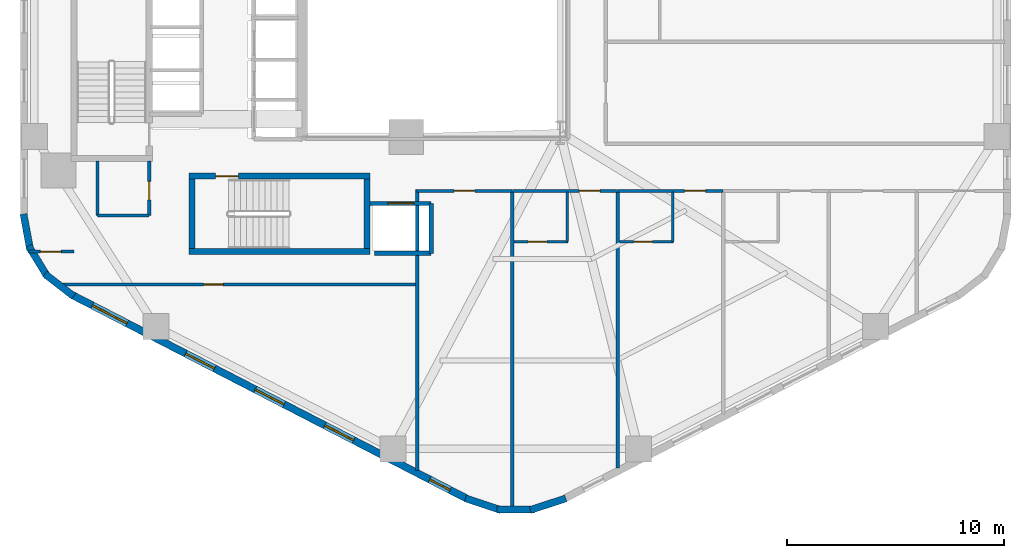
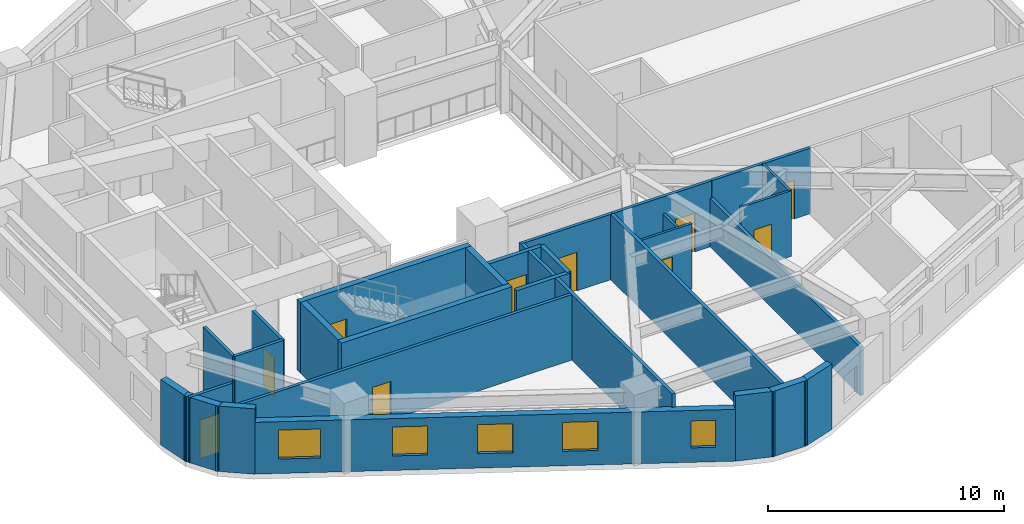
# One storey, part 2 of 7: 29 walls, 10 doors, 5 windows, 15 openings.
"""IFC4 building model written with IfcOpenShell, lengths in metres."""

from ifc_helpers import new_model, si_unit, direction, frame, frame_2d, origin, place, context, subcontext, project, spatial, rectangle, extrude, material, layer, layer_set, type_object, element, fill, save


model = new_model("IFC4")

# Units and contexts
model_context = context("Model", 3, precision=1e-05, world=origin(), true_north=direction((0.0, 1.0)))
body_context = subcontext(model_context, "Body", "Model", "MODEL_VIEW")
ifc_project = project(units=[si_unit("LENGTHUNIT", "METRE"), si_unit("AREAUNIT", "SQUARE_METRE"), si_unit("VOLUMEUNIT", "CUBIC_METRE"), si_unit("PLANEANGLEUNIT", "RADIAN"), si_unit("MASSUNIT", "GRAM", prefix="KILO"), si_unit("THERMODYNAMICTEMPERATUREUNIT", "KELVIN"), si_unit("POWERUNIT", "WATT")], contexts=[model_context])

# Site, building, storey
site_placement = place(None, origin())
site = spatial("IfcSite", under=ifc_project, at=site_placement, CompositionType="ELEMENT")
building_placement = place(site_placement, origin())
building = spatial("IfcBuilding", under=site, at=building_placement, Name="Skarre Station Tower", CompositionType="ELEMENT")
storey_placement = place(building_placement, frame((0.0, 0.0, 74.449951171875)))
storey = spatial("IfcBuildingStorey", under=building, at=storey_placement, Name="L19", CompositionType="ELEMENT", Elevation=74.449951171875)

# Walls
ifc_material_1 = material(Name="Acoustic Steel-Stud Gypsum Partition", Category="steel")
ifc_layer_1 = layer(ifc_material_1, 0.14990234375, Name="Acoustic Steel-Stud Gypsum Partition")
ifc_layer_set_1 = layer_set([ifc_layer_1], Name="Acoustic Steel-Stud Gypsum Partition")
wall_type_1 = type_object("IfcWallType", Name="Fire-Rated Corridor Acoustic Partition 150", PredefinedType="PARTITIONING", material=ifc_layer_set_1)
wall_1_placement = place(storey_placement, frame((18.10009765625, 17.340087890625, 0.0), z_axis=(0.0, 0.0, 1.0), x_axis=(0.0, -1.0, 0.0)))
element("IfcWall", 1, at=wall_1_placement, inside=storey, type_object=wall_type_1, Name="L19 Interior Partition WL-PT-L19-CSVC-W", PredefinedType="PARTITIONING", context=body_context, shape_type="SweptSolid", body=[
    extrude(rectangle(XDim=2.52001953125, YDim=0.14990234375, at=frame_2d((1.260009765625, 0.0))), origin(), (0.0, 0.0, 1.0), 3.39013671875),
])
wall_2_placement = place(storey_placement, frame((18.10009765625, 14.820068359375, 0.0), z_axis=(0.0, 0.0, 1.0), x_axis=(1.0, 0.0, 0.0)))
element("IfcWall", 2, at=wall_2_placement, inside=storey, type_object=wall_type_1, Name="L19 Interior Partition WL-PT-L19-CSVC-S", PredefinedType="PARTITIONING", context=body_context, shape_type="SweptSolid", body=[
    extrude(rectangle(XDim=2.389892578125, YDim=0.14990234375, at=frame_2d((1.19482421875, 0.0))), origin(), (0.0, 0.0, 1.0), 3.39013671875),
])

# Wall, opening, door
wall_3_placement = place(storey_placement, frame((20.489990234375, 14.820068359375, 0.0), z_axis=(0.0, 0.0, 1.0), x_axis=(0.0, 1.0, 0.0)))
wall_3 = element("IfcWall", 3, at=wall_3_placement, inside=storey, type_object=wall_type_1, Name="L19 Interior Partition WL-PT-L19-CSVC-E", PredefinedType="PARTITIONING", context=body_context, shape_type="SweptSolid", body=[
    extrude(rectangle(XDim=2.52001953125, YDim=0.14990234375, at=frame_2d((1.260009765625, 0.0))), origin(), (0.0, 0.0, 1.0), 3.39013671875),
])
opening_1_placement = place(wall_3_placement, frame((0.719970703125, 0.0, 0.0)))
opening_1 = element("IfcOpeningElement", 4, at=opening_1_placement, cuts=wall_3, Name="Opening DR-SVC86", PredefinedType="OPENING", context=body_context, shape_type="SweptSolid", body=[
    extrude(rectangle(XDim=0.860107421875, YDim=2.0, at=frame_2d((0.43017578125, 1.0))), frame((0.0, 0.0849609375, 0.0), z_axis=(0.0, -1.0, 0.0), x_axis=(1.0, 0.0, 0.0)), (0.0, 0.0, 1.0), 0.169921875),
])
ifc_material_2 = material(Name="Powder-Coated Hollow-Metal Acoustic Fire Leaf", Category="steel")
door_type_1 = type_object("IfcDoorType", Name="Compact Riser Fire Door FD60 860x2100", OperationType="SINGLE_SWING_LEFT", PredefinedType="DOOR", material=ifc_material_2)
door_1_placement = place(opening_1_placement, origin())
door_1 = element("IfcDoor", 5, at=door_1_placement, inside=storey, type_object=door_type_1, Name="L19 Core Staff Toilet Door", OperationType="SINGLE_SWING_LEFT", OverallHeight=2.0, OverallWidth=0.860107421875, PredefinedType="DOOR", context=body_context, shape_type="SweptSolid", body=[
    extrude(rectangle(XDim=0.860107421875, YDim=2.0, at=frame_2d((0.43017578125, 1.0))), frame((0.0, 0.02490234375, 0.0), z_axis=(0.0, -1.0, 0.0), x_axis=(1.0, 0.0, 0.0)), (0.0, 0.0, 1.0), 0.050048828125),
])
fill(opening_1, door_1)

wall_4_placement = place(storey_placement, frame((16.487060546875, 11.639892578125, 0.0), z_axis=(0.0, 0.0, 1.0), x_axis=(1.0, 0.0, 0.0)))
wall_4 = element("IfcWall", 6, at=wall_4_placement, inside=storey, type_object=wall_type_1, Name="L19 Interior Partition WL-PT-L19-SWP-N", PredefinedType="PARTITIONING", context=body_context, shape_type="SweptSolid", body=[
    extrude(rectangle(XDim=16.363037109375, YDim=0.14990234375, at=frame_2d((8.181640625, 0.0))), origin(), (0.0, 0.0, 1.0), 3.39013671875),
])
opening_2_placement = place(wall_4_placement, frame((6.512939453125, 0.0, 0.0)))
opening_2 = element("IfcOpeningElement", 7, at=opening_2_placement, cuts=wall_4, Name="Opening DR-SVC90", PredefinedType="OPENING", context=body_context, shape_type="SweptSolid", body=[
    extrude(rectangle(XDim=0.89990234375, YDim=2.0, at=frame_2d((0.449951171875, 1.0))), frame((0.0, 0.0849609375, 0.0), z_axis=(0.0, -1.0, 0.0), x_axis=(1.0, 0.0, 0.0)), (0.0, 0.0, 1.0), 0.169921875),
])
door_type_2 = type_object("IfcDoorType", Name="Service & Riser Fire Door FD60 900x2100", OperationType="SINGLE_SWING_LEFT", PredefinedType="DOOR", material=ifc_material_2)
door_2_placement = place(opening_2_placement, origin())
door_2 = element("IfcDoor", 8, at=door_2_placement, inside=storey, type_object=door_type_2, Name="L19 Floor Public Toilets Door", OperationType="SINGLE_SWING_LEFT", OverallHeight=2.0, OverallWidth=0.89990234375, PredefinedType="DOOR", context=body_context, shape_type="SweptSolid", body=[
    extrude(rectangle(XDim=0.89990234375, YDim=2.0, at=frame_2d((0.449951171875, 1.0))), frame((0.0, 0.02490234375, 0.0), z_axis=(0.0, -1.0, 0.0), x_axis=(1.0, 0.0, 0.0)), (0.0, 0.0, 1.0), 0.050048828125),
])
fill(opening_2, door_2)

wall_5_placement = place(storey_placement, frame((17.02001953125, 13.159912109375, 0.0), z_axis=(0.0, 0.0, 1.0), x_axis=(-1.0, 0.0, 0.0)))
wall_5 = element("IfcWall", 9, at=wall_5_placement, inside=storey, type_object=wall_type_1, Name="L19 Interior Partition WL-PT-L19-WW1-CW", PredefinedType="PARTITIONING", context=body_context, shape_type="SweptSolid", body=[
    extrude(rectangle(XDim=2.1201171875, YDim=0.14990234375, at=frame_2d((1.06005859375, 0.0))), origin(), (0.0, 0.0, 1.0), 3.39013671875),
])
opening_3_placement = place(wall_5_placement, frame((0.596923828125, 0.0, 0.0)))
opening_3 = element("IfcOpeningElement", 10, at=opening_3_placement, cuts=wall_5, Name="Opening DR-FD60", PredefinedType="OPENING", context=body_context, shape_type="SweptSolid", body=[
    extrude(rectangle(XDim=0.9599609375, YDim=2.0, at=frame_2d((0.47998046875, 1.0))), frame((0.0, 0.0849609375, 0.0), z_axis=(0.0, -1.0, 0.0), x_axis=(1.0, 0.0, 0.0)), (0.0, 0.0, 1.0), 0.169921875),
])
ifc_material_3 = material(Name="Nordic White-Oak Veneer Solid-Core Fire Leaf", Category="wood")
door_type_3 = type_object("IfcDoorType", Name="Corridor Suite Entry Fire Door FD60 960x2150", OperationType="SINGLE_SWING_LEFT", PredefinedType="DOOR", material=ifc_material_3)
door_3_placement = place(opening_3_placement, origin())
door_3 = element("IfcDoor", 11, at=door_3_placement, inside=storey, type_object=door_type_3, Name="L19 WW1 Entry Door", OperationType="SINGLE_SWING_LEFT", OverallHeight=2.0, OverallWidth=0.9599609375, PredefinedType="DOOR", context=body_context, shape_type="SweptSolid", body=[
    extrude(rectangle(XDim=0.9599609375, YDim=2.0, at=frame_2d((0.47998046875, 1.0))), frame((0.0, 0.02490234375, 0.0), z_axis=(0.0, -1.0, 0.0), x_axis=(1.0, 0.0, 0.0)), (0.0, 0.0, 1.0), 0.050048828125),
])
fill(opening_3, door_3)

wall_6_placement = place(storey_placement, frame((32.85009765625, 15.9599609375, 0.0), z_axis=(0.0, 0.0, 1.0), x_axis=(1.0, 0.0, 0.0)))
wall_6 = element("IfcWall", 12, at=wall_6_placement, inside=storey, type_object=wall_type_1, Name="L19 Interior Partition WL-PT-L19-SW1-CW", PredefinedType="PARTITIONING", context=body_context, shape_type="SweptSolid", body=[
    extrude(rectangle(XDim=4.37890625, YDim=0.14990234375, at=frame_2d((2.189453125, 0.0))), origin(), (0.0, 0.0, 1.0), 3.39013671875),
])
opening_4_placement = place(wall_6_placement, frame((1.7099609375, 0.0, 0.0)))
opening_4 = element("IfcOpeningElement", 13, at=opening_4_placement, cuts=wall_6, Name="Opening DR-FD60", PredefinedType="OPENING", context=body_context, shape_type="SweptSolid", body=[
    extrude(rectangle(XDim=0.9599609375, YDim=2.0, at=frame_2d((0.47998046875, 1.0))), frame((0.0, 0.0849609375, 0.0), z_axis=(0.0, -1.0, 0.0), x_axis=(1.0, 0.0, 0.0)), (0.0, 0.0, 1.0), 0.169921875),
])
door_4_placement = place(opening_4_placement, origin())
door_4 = element("IfcDoor", 14, at=door_4_placement, inside=storey, type_object=door_type_3, Name="L19 SW1 Entry Door", OperationType="SINGLE_SWING_LEFT", OverallHeight=2.0, OverallWidth=0.9599609375, PredefinedType="DOOR", context=body_context, shape_type="SweptSolid", body=[
    extrude(rectangle(XDim=0.9599609375, YDim=2.0, at=frame_2d((0.47998046875, 1.0))), frame((0.0, 0.02490234375, 0.0), z_axis=(0.0, -1.0, 0.0), x_axis=(1.0, 0.0, 0.0)), (0.0, 0.0, 1.0), 0.050048828125),
])
fill(opening_4, door_4)

wall_7_placement = place(storey_placement, frame((37.264892578125, 15.9599609375, 0.0), z_axis=(0.0, 0.0, 1.0), x_axis=(1.0, 0.0, 0.0)))
wall_7 = element("IfcWall", 15, at=wall_7_placement, inside=storey, type_object=wall_type_1, Name="L19 Interior Partition WL-PT-L19-SW2-CW", PredefinedType="PARTITIONING", context=body_context, shape_type="SweptSolid", body=[
    extrude(rectangle(XDim=4.83203125, YDim=0.14990234375, at=frame_2d((2.416015625, 0.0))), origin(), (0.0, 0.0, 1.0), 3.39013671875),
])
opening_5_placement = place(wall_7_placement, frame((3.071044921875, 0.0, 0.0)))
opening_5 = element("IfcOpeningElement", 16, at=opening_5_placement, cuts=wall_7, Name="Opening DR-FD60", PredefinedType="OPENING", context=body_context, shape_type="SweptSolid", body=[
    extrude(rectangle(XDim=0.9599609375, YDim=2.0, at=frame_2d((0.47998046875, 1.0))), frame((0.0, 0.0849609375, 0.0), z_axis=(0.0, -1.0, 0.0), x_axis=(1.0, 0.0, 0.0)), (0.0, 0.0, 1.0), 0.169921875),
])
door_5_placement = place(opening_5_placement, origin())
door_5 = element("IfcDoor", 17, at=door_5_placement, inside=storey, type_object=door_type_3, Name="L19 SW2 Entry Door", OperationType="SINGLE_SWING_LEFT", OverallHeight=2.0, OverallWidth=0.9599609375, PredefinedType="DOOR", context=body_context, shape_type="SweptSolid", body=[
    extrude(rectangle(XDim=0.9599609375, YDim=2.0, at=frame_2d((0.47998046875, 1.0))), frame((0.0, 0.02490234375, 0.0), z_axis=(0.0, -1.0, 0.0), x_axis=(1.0, 0.0, 0.0)), (0.0, 0.0, 1.0), 0.050048828125),
])
fill(opening_5, door_5)

wall_8_placement = place(storey_placement, frame((42.133056640625, 15.9599609375, 0.0), z_axis=(0.0, 0.0, 1.0), x_axis=(1.0, 0.0, 0.0)))
wall_8 = element("IfcWall", 18, at=wall_8_placement, inside=storey, type_object=wall_type_1, Name="L19 Interior Partition WL-PT-L19-SW3-CW", PredefinedType="PARTITIONING", context=body_context, shape_type="SweptSolid", body=[
    extrude(rectangle(XDim=4.8310546875, YDim=0.14990234375, at=frame_2d((2.41552734375, 0.0))), origin(), (0.0, 0.0, 1.0), 3.39013671875),
])
opening_6_placement = place(wall_8_placement, frame((3.071044921875, 0.0, 0.0)))
opening_6 = element("IfcOpeningElement", 19, at=opening_6_placement, cuts=wall_8, Name="Opening DR-FD60", PredefinedType="OPENING", context=body_context, shape_type="SweptSolid", body=[
    extrude(rectangle(XDim=0.9599609375, YDim=2.0, at=frame_2d((0.47998046875, 1.0))), frame((0.0, 0.0849609375, 0.0), z_axis=(0.0, -1.0, 0.0), x_axis=(1.0, 0.0, 0.0)), (0.0, 0.0, 1.0), 0.169921875),
])
door_6_placement = place(opening_6_placement, origin())
door_6 = element("IfcDoor", 20, at=door_6_placement, inside=storey, type_object=door_type_3, Name="L19 SW3 Entry Door", OperationType="SINGLE_SWING_LEFT", OverallHeight=2.0, OverallWidth=0.9599609375, PredefinedType="DOOR", context=body_context, shape_type="SweptSolid", body=[
    extrude(rectangle(XDim=0.9599609375, YDim=2.0, at=frame_2d((0.47998046875, 1.0))), frame((0.0, 0.02490234375, 0.0), z_axis=(0.0, -1.0, 0.0), x_axis=(1.0, 0.0, 0.0)), (0.0, 0.0, 1.0), 0.050048828125),
])
fill(opening_6, door_6)

ifc_material_4 = material(Name="Insulated Timber-Stud Gypsum Partition", Category="wood")
ifc_layer_2 = layer(ifc_material_4, 0.1201171875, Name="Insulated Timber-Stud Gypsum Partition")
ifc_layer_set_2 = layer_set([ifc_layer_2], Name="Insulated Timber-Stud Gypsum Partition")
wall_type_2 = type_object("IfcWallType", Name="Internal Suite Acoustic Partition 120", PredefinedType="PARTITIONING", material=ifc_layer_set_2)
wall_9_placement = place(storey_placement, frame((37.33203125, 13.6201171875, 0.0), z_axis=(0.0, 0.0, 1.0), x_axis=(1.0, 0.0, 0.0)))
wall_9 = element("IfcWall", 21, at=wall_9_placement, inside=storey, type_object=wall_type_2, Name="L19 Interior Partition WL-PT-L19-SW2-SA1", PredefinedType="PARTITIONING", context=body_context, shape_type="SweptSolid", body=[
    extrude(rectangle(XDim=2.47998046875, YDim=0.1201171875, at=frame_2d((1.239990234375, 0.0))), origin(), (0.0, 0.0, 1.0), 3.39013671875),
])
opening_7_placement = place(wall_9_placement, frame((0.64990234375, 0.0, 0.0)))
opening_7 = element("IfcOpeningElement", 22, at=opening_7_placement, cuts=wall_9, Name="Opening DR-INT86", PredefinedType="OPENING", context=body_context, shape_type="SweptSolid", body=[
    extrude(rectangle(XDim=0.860107421875, YDim=2.0, at=frame_2d((0.43017578125, 1.0))), frame((0.0, 0.070068359375, 0.0), z_axis=(0.0, -1.0, 0.0), x_axis=(1.0, 0.0, 0.0)), (0.0, 0.0, 1.0), 0.14013671875),
])
ifc_material_5 = material(Name="Nordic Birch Acoustic Solid-Core Timber Leaf", Category="wood")
door_type_4 = type_object("IfcDoorType", Name="Internal En-Suite & Bedroom Door 860x2100", OperationType="SINGLE_SWING_LEFT", PredefinedType="DOOR", material=ifc_material_5)
door_7_placement = place(opening_7_placement, origin())
door_7 = element("IfcDoor", 23, at=door_7_placement, inside=storey, type_object=door_type_4, Name="L19 SW2 Alcove Store Door", OperationType="SINGLE_SWING_LEFT", OverallHeight=2.0, OverallWidth=0.860107421875, PredefinedType="DOOR", context=body_context, shape_type="SweptSolid", body=[
    extrude(rectangle(XDim=0.860107421875, YDim=2.0, at=frame_2d((0.43017578125, 1.0))), frame((0.0, 0.02490234375, 0.0), z_axis=(0.0, -1.0, 0.0), x_axis=(1.0, 0.0, 0.0)), (0.0, 0.0, 1.0), 0.050048828125),
])
fill(opening_7, door_7)

# Wall
wall_10_placement = place(storey_placement, frame((39.781982421875, 13.6201171875, 0.0), z_axis=(0.0, 0.0, 1.0), x_axis=(0.0, 1.0, 0.0)))
element("IfcWall", 24, at=wall_10_placement, inside=storey, type_object=wall_type_2, Name="L19 Interior Partition WL-PT-L19-SW2-SA2", PredefinedType="PARTITIONING", context=body_context, shape_type="SweptSolid", body=[
    extrude(rectangle(XDim=2.2998046875, YDim=0.1201171875, at=frame_2d((1.14990234375, 0.0))), origin(), (0.0, 0.0, 1.0), 2.512939453125),
])

# Wall, opening, door
wall_11_placement = place(storey_placement, frame((42.199951171875, 13.6201171875, 0.0), z_axis=(0.0, 0.0, 1.0), x_axis=(1.0, 0.0, 0.0)))
wall_11 = element("IfcWall", 25, at=wall_11_placement, inside=storey, type_object=wall_type_2, Name="L19 Interior Partition WL-PT-L19-SW3-SA1", PredefinedType="PARTITIONING", context=body_context, shape_type="SweptSolid", body=[
    extrude(rectangle(XDim=2.47998046875, YDim=0.1201171875, at=frame_2d((1.239990234375, 0.0))), origin(), (0.0, 0.0, 1.0), 3.39013671875),
])
opening_8_placement = place(wall_11_placement, frame((0.64990234375, 0.0, 0.0)))
opening_8 = element("IfcOpeningElement", 26, at=opening_8_placement, cuts=wall_11, Name="Opening DR-INT86", PredefinedType="OPENING", context=body_context, shape_type="SweptSolid", body=[
    extrude(rectangle(XDim=0.860107421875, YDim=2.0, at=frame_2d((0.43017578125, 1.0))), frame((0.0, 0.070068359375, 0.0), z_axis=(0.0, -1.0, 0.0), x_axis=(1.0, 0.0, 0.0)), (0.0, 0.0, 1.0), 0.14013671875),
])
door_8_placement = place(opening_8_placement, origin())
door_8 = element("IfcDoor", 27, at=door_8_placement, inside=storey, type_object=door_type_4, Name="L19 SW3 Alcove Store Door", OperationType="SINGLE_SWING_LEFT", OverallHeight=2.0, OverallWidth=0.860107421875, PredefinedType="DOOR", context=body_context, shape_type="SweptSolid", body=[
    extrude(rectangle(XDim=0.860107421875, YDim=2.0, at=frame_2d((0.43017578125, 1.0))), frame((0.0, 0.02490234375, 0.0), z_axis=(0.0, -1.0, 0.0), x_axis=(1.0, 0.0, 0.0)), (0.0, 0.0, 1.0), 0.050048828125),
])
fill(opening_8, door_8)

# Wall
wall_12_placement = place(storey_placement, frame((44.64990234375, 13.6201171875, 0.0), z_axis=(0.0, 0.0, 1.0), x_axis=(0.0, 1.0, 0.0)))
element("IfcWall", 28, at=wall_12_placement, inside=storey, type_object=wall_type_2, Name="L19 Interior Partition WL-PT-L19-SW3-SA2", PredefinedType="PARTITIONING", context=body_context, shape_type="SweptSolid", body=[
    extrude(rectangle(XDim=2.2998046875, YDim=0.1201171875, at=frame_2d((1.14990234375, 0.0))), origin(), (0.0, 0.0, 1.0), 3.39013671875),
])

# Wall, openings, windows
ifc_material_6 = material(Name="Precast concrete C45/55", Category="concrete")
ifc_layer_3 = layer(ifc_material_6, 0.340087890625, Name="Precast concrete C45/55")
ifc_layer_set_3 = layer_set([ifc_layer_3], Name="Precast concrete C45/55")
wall_type_3 = type_object("IfcWallType", Name="Nordic Honed Precast Facet Wall 340", PredefinedType="STANDARD", material=ifc_layer_set_3)
wall_13_placement = place(storey_placement, frame((35.1689453125, 1.742919921875, 0.0), z_axis=(0.0, 0.0, 1.0), x_axis=(-0.888634413993, 0.458616264721, 0.0)))
wall_13 = element("IfcWall", 29, at=wall_13_placement, inside=storey, type_object=wall_type_3, Name="L19 Facet 3 Nordic Precast Masonry Wall", PredefinedType="STANDARD", context=body_context, shape_type="SweptSolid", body=[
    extrude(rectangle(XDim=20.53125, YDim=0.340087890625, at=frame_2d((10.265625, 0.0))), origin(), (0.0, 0.0, 1.0), 2.68408203125),
])
opening_9_placement = place(wall_13_placement, frame((0.902099609375, 0.0, 0.75)))
opening_9 = element("IfcOpeningElement", 30, at=opening_9_placement, cuts=wall_13, Name="Opening WN-SLT", PredefinedType="OPENING", context=body_context, shape_type="SweptSolid", body=[
    extrude(rectangle(XDim=1.050048828125, YDim=1.39990234375, at=frame_2d((0.52490234375, 0.699951171875))), frame((0.0, 0.179931640625, 0.0), z_axis=(0.0, -1.0, 0.0), x_axis=(1.0, 0.0, 0.0)), (0.0, 0.0, 1.0), 0.360107421875),
])
opening_10_placement = place(wall_13_placement, frame((5.903076171875, 0.0, 0.75)))
opening_10 = element("IfcOpeningElement", 31, at=opening_10_placement, cuts=wall_13, Name="Opening WN-Z1B", PredefinedType="OPENING", context=body_context, shape_type="SweptSolid", body=[
    extrude(rectangle(XDim=1.5, YDim=1.5, at=frame_2d((0.75, 0.75))), frame((0.0, 0.179931640625, 0.0), z_axis=(0.0, -1.0, 0.0), x_axis=(1.0, 0.0, 0.0)), (0.0, 0.0, 1.0), 0.360107421875),
])
opening_11_placement = place(wall_13_placement, frame((9.51611328125, 0.0, 0.75)))
opening_11 = element("IfcOpeningElement", 32, at=opening_11_placement, cuts=wall_13, Name="Opening WN-Z1B", PredefinedType="OPENING", context=body_context, shape_type="SweptSolid", body=[
    extrude(rectangle(XDim=1.5, YDim=1.5, at=frame_2d((0.75, 0.75))), frame((0.0, 0.179931640625, 0.0), z_axis=(0.0, -1.0, 0.0), x_axis=(1.0, 0.0, 0.0)), (0.0, 0.0, 1.0), 0.360107421875),
])
opening_12_placement = place(wall_13_placement, frame((13.12890625, 0.0, 0.75)))
opening_12 = element("IfcOpeningElement", 33, at=opening_12_placement, cuts=wall_13, Name="Opening WN-Z1B", PredefinedType="OPENING", context=body_context, shape_type="SweptSolid", body=[
    extrude(rectangle(XDim=1.5, YDim=1.5, at=frame_2d((0.75, 0.75))), frame((0.0, 0.179931640625, 0.0), z_axis=(0.0, -1.0, 0.0), x_axis=(1.0, 0.0, 0.0)), (0.0, 0.0, 1.0), 0.360107421875),
])
opening_13_placement = place(wall_13_placement, frame((17.673095703125, 0.0, 0.75)))
opening_13 = element("IfcOpeningElement", 34, at=opening_13_placement, cuts=wall_13, Name="Opening WN-Z1A", PredefinedType="OPENING", context=body_context, shape_type="SweptSolid", body=[
    extrude(rectangle(XDim=1.800048828125, YDim=1.5, at=frame_2d((0.89990234375, 0.75))), frame((0.0, 0.179931640625, 0.0), z_axis=(0.0, -1.0, 0.0), x_axis=(1.0, 0.0, 0.0)), (0.0, 0.0, 1.0), 0.360107421875),
])
ifc_material_7 = material(Name="Low-Iron Triple Glazing with Bronze Anodized Frame", Category="glass")
window_type_1 = type_object("IfcWindowType", Name="Nordic Corner Slot Window 1050x1400", PartitioningType="SINGLE_PANEL", PredefinedType="WINDOW", material=ifc_material_7)
window_1_placement = place(opening_9_placement, origin())
window_1 = element("IfcWindow", 35, at=window_1_placement, inside=storey, type_object=window_type_1, Name="L19 Facade Window WL-FAC-L19-F3-1", OverallHeight=1.39990234375, OverallWidth=1.050048828125, PartitioningType="SINGLE_PANEL", PredefinedType="WINDOW", context=body_context, shape_type="SweptSolid", body=[
    extrude(rectangle(XDim=1.050048828125, YDim=1.39990234375, at=frame_2d((0.52490234375, 0.699951171875))), frame((0.0, 0.030029296875, 0.0), z_axis=(0.0, -1.0, 0.0), x_axis=(1.0, 0.0, 0.0)), (0.0, 0.0, 1.0), 0.06005859375),
])
fill(opening_9, window_1)
window_type_2 = type_object("IfcWindowType", Name="Nordic Punched Triple-Glazed Window 1500x1500", PartitioningType="SINGLE_PANEL", PredefinedType="WINDOW", material=ifc_material_7)
window_2_placement = place(opening_10_placement, origin())
window_2 = element("IfcWindow", 36, at=window_2_placement, inside=storey, type_object=window_type_2, Name="L19 Facade Window WL-FAC-L19-F3-2", OverallHeight=1.5, OverallWidth=1.5, PartitioningType="SINGLE_PANEL", PredefinedType="WINDOW", context=body_context, shape_type="SweptSolid", body=[
    extrude(rectangle(XDim=1.5, YDim=1.5, at=frame_2d((0.75, 0.75))), frame((0.0, 0.030029296875, 0.0), z_axis=(0.0, -1.0, 0.0), x_axis=(1.0, 0.0, 0.0)), (0.0, 0.0, 1.0), 0.06005859375),
])
fill(opening_10, window_2)
window_3_placement = place(opening_11_placement, origin())
window_3 = element("IfcWindow", 37, at=window_3_placement, inside=storey, type_object=window_type_2, Name="L19 Facade Window WL-FAC-L19-F3-3", OverallHeight=1.5, OverallWidth=1.5, PartitioningType="SINGLE_PANEL", PredefinedType="WINDOW", context=body_context, shape_type="SweptSolid", body=[
    extrude(rectangle(XDim=1.5, YDim=1.5, at=frame_2d((0.75, 0.75))), frame((0.0, 0.030029296875, 0.0), z_axis=(0.0, -1.0, 0.0), x_axis=(1.0, 0.0, 0.0)), (0.0, 0.0, 1.0), 0.06005859375),
])
fill(opening_11, window_3)
window_4_placement = place(opening_12_placement, origin())
window_4 = element("IfcWindow", 38, at=window_4_placement, inside=storey, type_object=window_type_2, Name="L19 Facade Window WL-FAC-L19-F3-4", OverallHeight=1.5, OverallWidth=1.5, PartitioningType="SINGLE_PANEL", PredefinedType="WINDOW", context=body_context, shape_type="SweptSolid", body=[
    extrude(rectangle(XDim=1.5, YDim=1.5, at=frame_2d((0.75, 0.75))), frame((0.0, 0.030029296875, 0.0), z_axis=(0.0, -1.0, 0.0), x_axis=(1.0, 0.0, 0.0)), (0.0, 0.0, 1.0), 0.06005859375),
])
fill(opening_12, window_4)
window_type_3 = type_object("IfcWindowType", Name="Nordic Punched Triple-Glazed Window 1800x1500", PartitioningType="SINGLE_PANEL", PredefinedType="WINDOW", material=ifc_material_7)
window_5_placement = place(opening_13_placement, origin())
window_5 = element("IfcWindow", 39, at=window_5_placement, inside=storey, type_object=window_type_3, Name="L19 Facade Window WL-FAC-L19-F3-5", OverallHeight=1.5, OverallWidth=1.800048828125, PartitioningType="SINGLE_PANEL", PredefinedType="WINDOW", context=body_context, shape_type="SweptSolid", body=[
    extrude(rectangle(XDim=1.800048828125, YDim=1.5, at=frame_2d((0.89990234375, 0.75))), frame((0.0, 0.030029296875, 0.0), z_axis=(0.0, -1.0, 0.0), x_axis=(1.0, 0.0, 0.0)), (0.0, 0.0, 1.0), 0.06005859375),
])
fill(opening_13, window_5)

# Walls
ifc_layer_4 = layer(ifc_material_6, 0.330078125, Name="Precast concrete C45/55")
ifc_layer_set_4 = layer_set([ifc_layer_4], Name="Precast concrete C45/55")
wall_type_4 = type_object("IfcWallType", Name="Nordic Rounded Corner Precast Wall 330", PredefinedType="STANDARD", material=ifc_layer_set_4)
wall_14_placement = place(storey_placement, frame((16.998046875, 11.09912109375, 0.0), z_axis=(0.0, 0.0, 1.0), x_axis=(-0.790691856293, 0.61221433207, 0.0)))
element("IfcWall", 40, at=wall_14_placement, inside=storey, type_object=wall_type_4, Name="L19 Rounded Corner Precast Wall F3-1", PredefinedType="STANDARD", context=body_context, shape_type="SweptSolid", body=[
    extrude(rectangle(XDim=1.67578125, YDim=0.330078125, at=frame_2d((0.837890625, 0.0))), origin(), (0.0, 0.0, 1.0), 3.39013671875),
])
wall_15_placement = place(storey_placement, frame((15.798095703125, 11.985107421875, 0.0), z_axis=(0.0, 0.0, 1.0), x_axis=(-0.520584129191, 0.853810379671, 0.0)))
element("IfcWall", 41, at=wall_15_placement, inside=storey, type_object=wall_type_4, Name="L19 Rounded Corner Precast Wall F3-2", PredefinedType="STANDARD", context=body_context, shape_type="SweptSolid", body=[
    extrude(rectangle(XDim=1.677001953125, YDim=0.330078125, at=frame_2d((0.83837890625, 0.0))), origin(), (0.0, 0.0, 1.0), 3.39013671875),
])
wall_16_placement = place(storey_placement, frame((14.991943359375, 13.241943359375, 0.0), z_axis=(0.0, 0.0, 1.0), x_axis=(-0.181714143354, 0.983351397063, 0.0)))
element("IfcWall", 42, at=wall_16_placement, inside=storey, type_object=wall_type_4, Name="L19 Rounded Corner Precast Wall F3-3", PredefinedType="STANDARD", context=body_context, shape_type="SweptSolid", body=[
    extrude(rectangle(XDim=1.677978515625, YDim=0.330078125, at=frame_2d((0.8388671875, 0.0))), origin(), (0.0, 0.0, 1.0), 3.39013671875),
])
wall_17_placement = place(storey_placement, frame((39.718994140625, 1.76904296875, 0.0), z_axis=(0.0, 0.0, 1.0), x_axis=(-0.94976901097, -0.312951794691, 0.0)))
element("IfcWall", 43, at=wall_17_placement, inside=storey, type_object=wall_type_4, Name="L19 Rounded Corner Precast Wall F4-1", PredefinedType="STANDARD", context=body_context, shape_type="SweptSolid", body=[
    extrude(rectangle(XDim=1.722412109375, YDim=0.330078125, at=frame_2d((0.861328125, 0.0))), origin(), (0.0, 0.0, 1.0), 3.39013671875),
])
wall_18_placement = place(storey_placement, frame((38.260986328125, 1.259033203125, 0.0), z_axis=(0.0, 0.0, 1.0), x_axis=(-1.0, 0.0, 0.0)))
element("IfcWall", 44, at=wall_18_placement, inside=storey, type_object=wall_type_4, Name="L19 Rounded Corner Precast Wall F4-2", PredefinedType="STANDARD", context=body_context, shape_type="SweptSolid", body=[
    extrude(rectangle(XDim=1.721923828125, YDim=0.330078125, at=frame_2d((0.86083984375, 0.0))), origin(), (0.0, 0.0, 1.0), 3.39013671875),
])
wall_19_placement = place(storey_placement, frame((36.717041015625, 1.22998046875, 0.0), z_axis=(0.0, 0.0, 1.0), x_axis=(-0.94976901097, 0.312951794691, 0.0)))
element("IfcWall", 45, at=wall_19_placement, inside=storey, type_object=wall_type_4, Name="L19 Rounded Corner Precast Wall F4-3", PredefinedType="STANDARD", context=body_context, shape_type="SweptSolid", body=[
    extrude(rectangle(XDim=1.722412109375, YDim=0.330078125, at=frame_2d((0.861328125, 0.0))), origin(), (0.0, 0.0, 1.0), 3.39013671875),
])
ifc_material_8 = material(Name="Concrete C50/60", Category="concrete")
ifc_layer_5 = layer(ifc_material_8, 0.280029296875, Name="Concrete C50/60")
ifc_layer_set_5 = layer_set([ifc_layer_5], Name="Concrete C50/60")
wall_type_5 = type_object("IfcWallType", Name="RC Core Shear Wall 280", PredefinedType="SHEAR", material=ifc_layer_set_5)
wall_20_placement = place(storey_placement, frame((22.320068359375, 13.159912109375, 0.0), z_axis=(0.0, 0.0, 1.0), x_axis=(1.0, 0.0, 0.0)))
element("IfcWall", 46, at=wall_20_placement, inside=storey, type_object=wall_type_5, Name="L19 Stair ST-2 South Shear Wall", PredefinedType="SHEAR", context=body_context, shape_type="SweptSolid", body=[
    extrude(rectangle(XDim=8.35986328125, YDim=0.280029296875, at=frame_2d((4.179931640625, 0.0))), origin(), (0.0, 0.0, 1.0), 3.650146484375),
])

# Wall, opening, door
wall_21_placement = place(storey_placement, frame((30.679931640625, 16.639892578125, 0.0), z_axis=(0.0, 0.0, 1.0), x_axis=(-1.0, 0.0, 0.0)))
wall_21 = element("IfcWall", 47, at=wall_21_placement, inside=storey, type_object=wall_type_5, Name="L19 Stair ST-2 North Shear Wall", PredefinedType="SHEAR", context=body_context, shape_type="SweptSolid", body=[
    extrude(rectangle(XDim=8.35986328125, YDim=0.280029296875, at=frame_2d((4.179931640625, 0.0))), origin(), (0.0, 0.0, 1.0), 3.650146484375),
])
opening_14_placement = place(wall_21_placement, frame((6.080078125, 0.0, 0.0)))
opening_14 = element("IfcOpeningElement", 48, at=opening_14_placement, cuts=wall_21, Name="Opening DR-FD90", PredefinedType="OPENING", context=body_context, shape_type="SweptSolid", body=[
    extrude(rectangle(XDim=1.050048828125, YDim=2.0, at=frame_2d((0.52490234375, 1.0))), frame((0.0, 0.14990234375, 0.0), z_axis=(0.0, -1.0, 0.0), x_axis=(1.0, 0.0, 0.0)), (0.0, 0.0, 1.0), 0.300048828125),
])
ifc_material_9 = material(Name="Fire-Rated Insulated Steel Frame & Timber Core Leaf", Category="steel")
door_type_5 = type_object("IfcDoorType", Name="Stair & FSAE Lobby Fire Door FD90 1050x2150", OperationType="SINGLE_SWING_RIGHT", PredefinedType="DOOR", material=ifc_material_9)
door_9_placement = place(opening_14_placement, origin())
door_9 = element("IfcDoor", 49, at=door_9_placement, inside=storey, type_object=door_type_5, Name="L19 Stair ST-2 Exit Door", OperationType="SINGLE_SWING_RIGHT", OverallHeight=2.0, OverallWidth=1.050048828125, PredefinedType="DOOR", context=body_context, shape_type="SweptSolid", body=[
    extrude(rectangle(XDim=1.050048828125, YDim=2.0, at=frame_2d((0.52490234375, 1.0))), frame((0.0, 0.02490234375, 0.0), z_axis=(0.0, -1.0, 0.0), x_axis=(1.0, 0.0, 0.0)), (0.0, 0.0, 1.0), 0.050048828125),
])
fill(opening_14, door_9)

# Walls
for number, where, z_axis, x_axis, name in (
    (50, (22.4599609375, 16.5, 0.0), (0.0, 0.0, 1.0), (0.0, -1.0, 0.0), "L19 Stair ST-2 West Shear Wall"),
    (51, (30.5400390625, 13.300048828125, 0.0), (0.0, 0.0, 1.0), (0.0, 1.0, 0.0), "L19 Stair ST-2 East Shear Wall"),
):
    element("IfcWall", number, at=place(storey_placement, frame(where, z_axis=z_axis, x_axis=x_axis)), inside=storey, type_object=wall_type_5, Name=name, PredefinedType="SHEAR", context=body_context, shape_type="SweptSolid", body=[
        extrude(rectangle(XDim=3.199951171875, YDim=0.280029296875, at=frame_2d((1.60009765625, 0.0))), origin(), (0.0, 0.0, 1.0), 3.650146484375),
    ])

# Wall, opening, door
ifc_material_10 = material(Name="Gypsum Concrete Shaft Assembly C30/37", Category="concrete")
ifc_layer_6 = layer(ifc_material_10, 0.199951171875, Name="Gypsum Concrete Shaft Assembly C30/37")
ifc_layer_set_6 = layer_set([ifc_layer_6], Name="Gypsum Concrete Shaft Assembly C30/37")
wall_type_6 = type_object("IfcWallType", Name="Shaft & Core Fire Partition 200", PredefinedType="PARTITIONING", material=ifc_layer_set_6)
wall_22_placement = place(storey_placement, frame((33.5, 15.3798828125, 0.0), z_axis=(0.0, 0.0, 1.0), x_axis=(-1.0, 0.0, 0.0)))
wall_22 = element("IfcWall", 52, at=wall_22_placement, inside=storey, type_object=wall_type_6, Name="L19 Interior Partition WL-PT-L19-SV1-N", PredefinedType="PARTITIONING", context=body_context, shape_type="SweptSolid", body=[
    extrude(rectangle(XDim=2.820068359375, YDim=0.199951171875, at=frame_2d((1.41015625, 0.0))), origin(), (0.0, 0.0, 1.0), 3.39013671875),
])
opening_15_placement = place(wall_22_placement, frame((0.800048828125, 0.0, 0.0)))
opening_15 = element("IfcOpeningElement", 53, at=opening_15_placement, cuts=wall_22, Name="Opening LD-SV1", PredefinedType="OPENING", context=body_context, shape_type="SweptSolid", body=[
    extrude(rectangle(XDim=1.199951171875, YDim=2.199951171875, at=frame_2d((0.60009765625, 1.10009765625))), frame((0.0, 0.10986328125, 0.0), z_axis=(0.0, -1.0, 0.0), x_axis=(1.0, 0.0, 0.0)), (0.0, 0.0, 1.0), 0.219970703125),
])
ifc_material_11 = material(Name="Heavy-Gauge Brushed Stainless Steel Sliding Leaves", Category="steel")
door_type_6 = type_object("IfcDoorType", Name="Service Elevator Wide Sliding Landing Door 1200x2200", OperationType="SLIDING_TO_RIGHT", PredefinedType="DOOR", material=ifc_material_11)
door_10_placement = place(opening_15_placement, origin())
door_10 = element("IfcDoor", 54, at=door_10_placement, inside=storey, type_object=door_type_6, Name="L19 Service Lift LF-SV1 Landing Door", OperationType="SLIDING_TO_RIGHT", OverallHeight=2.199951171875, OverallWidth=1.199951171875, PredefinedType="DOOR", context=body_context, shape_type="SweptSolid", body=[
    extrude(rectangle(XDim=1.199951171875, YDim=2.199951171875, at=frame_2d((0.60009765625, 1.10009765625))), frame((0.0, 0.02490234375, 0.0), z_axis=(0.0, -1.0, 0.0), x_axis=(1.0, 0.0, 0.0)), (0.0, 0.0, 1.0), 0.050048828125),
])
fill(opening_15, door_10)

# Walls
wall_23_placement = place(storey_placement, frame((33.5, 13.080078125, 0.0), z_axis=(0.0, 0.0, 1.0), x_axis=(0.0, 1.0, 0.0)))
element("IfcWall", 55, at=wall_23_placement, inside=storey, type_object=wall_type_6, Name="L19 Interior Partition WL-PT-L19-SV1-E", PredefinedType="PARTITIONING", context=body_context, shape_type="SweptSolid", body=[
    extrude(rectangle(XDim=2.2998046875, YDim=0.199951171875, at=frame_2d((1.14990234375, 0.0))), origin(), (0.0, 0.0, 1.0), 3.39013671875),
])
wall_24_placement = place(storey_placement, frame((30.87890625, 13.080078125, 0.0), z_axis=(0.0, 0.0, 1.0), x_axis=(1.0, 0.0, 0.0)))
element("IfcWall", 56, at=wall_24_placement, inside=storey, type_object=wall_type_6, Name="L19 Interior Partition WL-PT-L19-SV1-S", PredefinedType="PARTITIONING", context=body_context, shape_type="SweptSolid", body=[
    extrude(rectangle(XDim=2.62109375, YDim=0.199951171875, at=frame_2d((1.310546875, 0.0))), origin(), (0.0, 0.0, 1.0), 3.39013671875),
])
ifc_layer_7 = layer(ifc_material_1, 0.1650390625, Name="Acoustic Steel-Stud Gypsum Partition")
ifc_layer_set_7 = layer_set([ifc_layer_7], Name="Acoustic Steel-Stud Gypsum Partition")
wall_type_7 = type_object("IfcWallType", Name="Suite Demising Acoustic Partition 165", PredefinedType="PARTITIONING", material=ifc_layer_set_7)
wall_25_placement = place(storey_placement, frame((32.85009765625, 3.06396484375, 0.0), z_axis=(0.0, 0.0, 1.0), x_axis=(0.0, 1.0, 0.0)))
element("IfcWall", 57, at=wall_25_placement, inside=storey, type_object=wall_type_7, Name="L19 Interior Partition WL-PT-L19-SWP-E", PredefinedType="PARTITIONING", context=body_context, shape_type="SweptSolid", body=[
    extrude(rectangle(XDim=12.966064453125, YDim=0.1650390625, at=frame_2d((6.48291015625, 0.0))), origin(), (0.0, 0.0, 1.0), 3.39013671875),
])
wall_26_placement = place(storey_placement, frame((37.2470703125, 1.384033203125, 0.0), z_axis=(0.0, 0.0, 1.0), x_axis=(0.0, 1.0, 0.0)))
element("IfcWall", 58, at=wall_26_placement, inside=storey, type_object=wall_type_7, Name="L19 Interior Partition WL-PT-L19-SW-P1", PredefinedType="PARTITIONING", context=body_context, shape_type="SweptSolid", body=[
    extrude(rectangle(XDim=14.5458984375, YDim=0.1650390625, at=frame_2d((7.27294921875, 0.0))), origin(), (0.0, 0.0, 1.0), 3.39013671875),
])
wall_27_placement = place(storey_placement, frame((42.114990234375, 3.159912109375, 0.0), z_axis=(0.0, 0.0, 1.0), x_axis=(0.0, 1.0, 0.0)))
element("IfcWall", 59, at=wall_27_placement, inside=storey, type_object=wall_type_7, Name="L19 Interior Partition WL-PT-L19-SW-P2", PredefinedType="PARTITIONING", context=body_context, shape_type="SweptSolid", body=[
    extrude(rectangle(XDim=12.77001953125, YDim=0.1650390625, at=frame_2d((6.385009765625, 0.0))), origin(), (0.0, 0.0, 1.0), 2.512939453125),
])

save(model, "model.ifc")
